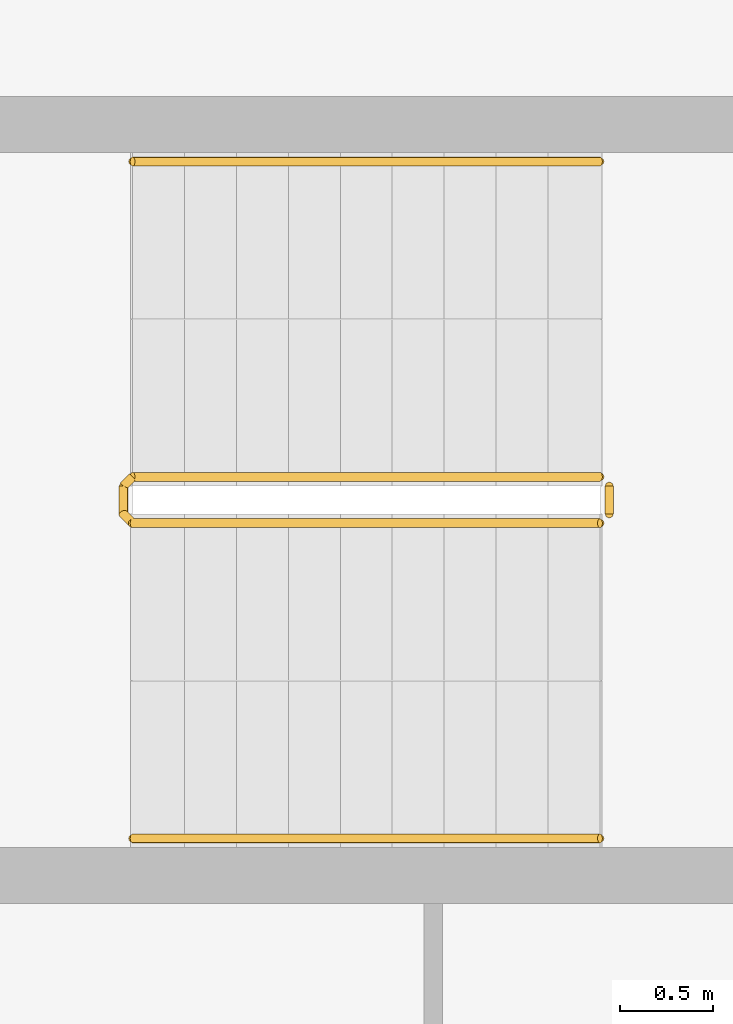
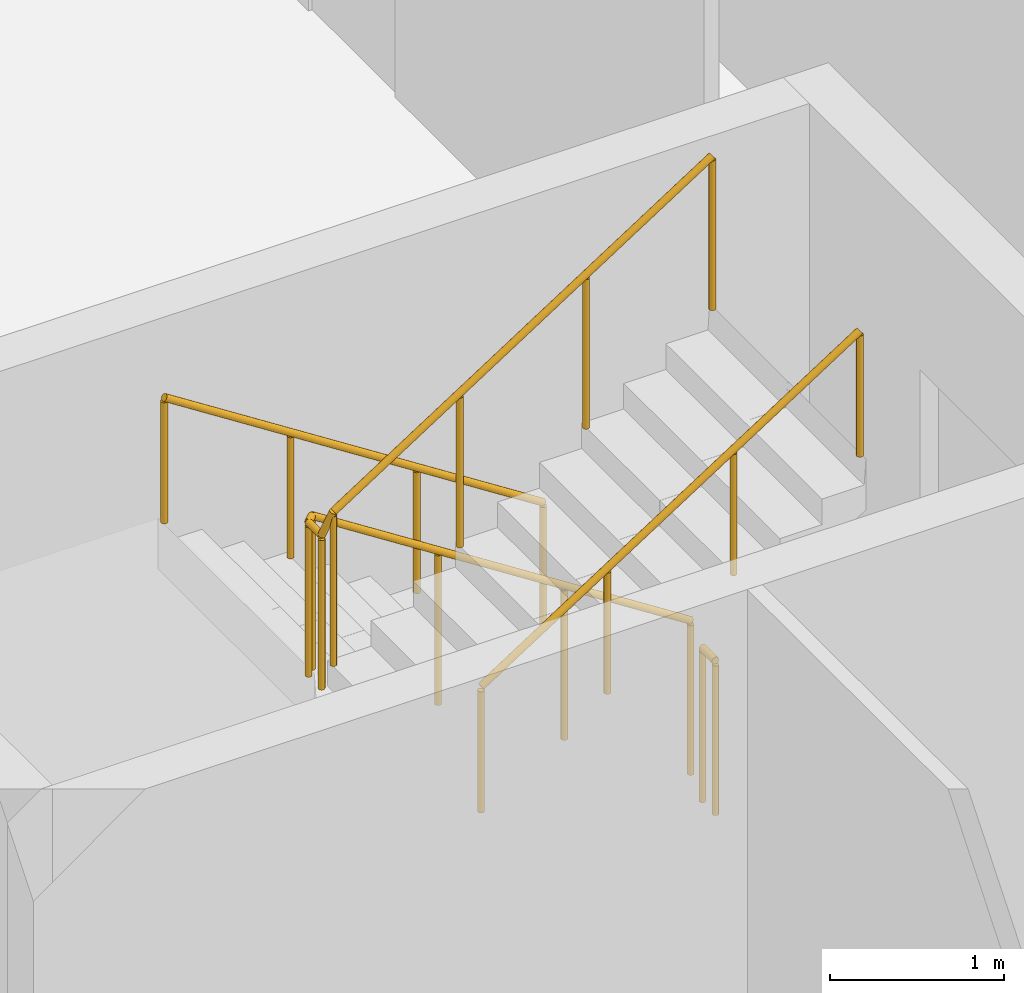
# One storey, part 24 of 27: 4 railings.
"""IFC4 building model written with IfcOpenShell, lengths in metres."""

from ifc_helpers import new_model, si_unit, direction, frame, origin, origin_2d, place, context, subcontext, project, spatial, circle, extrude, material, type_object, element, save


model = new_model("IFC4")

# Units and contexts
model_context = context("Model", 3, precision=1e-05, world=origin(), true_north=direction((0.0, 1.0)))
body_context = subcontext(model_context, "Body", "Model", "MODEL_VIEW")
ifc_project = project(units=[si_unit("LENGTHUNIT", "METRE"), si_unit("AREAUNIT", "SQUARE_METRE"), si_unit("VOLUMEUNIT", "CUBIC_METRE"), si_unit("PLANEANGLEUNIT", "RADIAN"), si_unit("MASSUNIT", "GRAM", prefix="KILO")], contexts=[model_context])

# Site, building, storey
site_placement = place(None, origin())
site = spatial("IfcSite", under=ifc_project, at=site_placement, CompositionType="ELEMENT")
building_placement = place(site_placement, origin())
building = spatial("IfcBuilding", under=site, at=building_placement, Name="Wharfspan Tower", CompositionType="ELEMENT")
storey_placement = place(building_placement, frame((0.0, 0.0, 45.100098)))
storey = spatial("IfcBuildingStorey", under=building, at=storey_placement, Name="L07", CompositionType="ELEMENT", Elevation=45.100098)

# Railings
ifc_material = material(Name="Steel S355J2", Category="steel")
railing_type_1 = type_object("IfcRailingType", Name="Stair guard 1100", PredefinedType="GUARDRAIL", material=ifc_material)
railing_1_placement = place(storey_placement, frame((6.899902, 22.625, 0.179932)))
element("IfcRailing", 1, at=railing_1_placement, inside=storey, type_object=railing_type_1, Name="L07 ST3 stair guard 1", PredefinedType="GUARDRAIL", context=body_context, shape_type="SweptSolid", body=[
    extrude(circle(Radius=0.023926, at=origin_2d()), frame((0.0, 0.0, 1.076172), z_axis=(-0.8412, 0.0, 0.540725), x_axis=(0.0, -1.0, 0.0)), (0.0, 0.0, 1.0), 2.99585),
    extrude(circle(Radius=0.023926, at=origin_2d()), frame((-2.52002, 0.0, 2.695801), z_axis=(-0.705376, -0.708834, 0.0), x_axis=(0.708834, -0.705376, 0.0)), (0.0, 0.0, 1.0), 0.070557),
    extrude(circle(Radius=0.023926, at=origin_2d()), frame((-2.569824, -0.050049, 2.695801), z_axis=(0.0, -1.0, 0.0), x_axis=(1.0, 0.0, 0.0)), (0.0, 0.0, 1.0), 0.149902),
    extrude(circle(Radius=0.023926, at=origin_2d()), frame((-2.569824, -0.199951, 2.695801), z_axis=(0.257366, -0.258628, 0.931061), x_axis=(0.708838, 0.705372, -2e-06)), (0.0, 0.0, 1.0), 0.193604),
    extrude(circle(Radius=0.023926, at=origin_2d()), frame((-2.52002, -0.25, 2.875977), z_axis=(0.8412, 0.0, 0.540725), x_axis=(0.0, 1.0, 0.0)), (0.0, 0.0, 1.0), 2.99585),
    extrude(circle(Radius=0.020996, at=origin_2d()), origin(), (0.0, 0.0, 1.0), 1.052002),
    extrude(circle(Radius=0.020996, at=origin_2d()), frame((-0.840088, 0.0, 0.540039)), (0.0, 0.0, 1.0), 1.052002),
    extrude(circle(Radius=0.020996, at=origin_2d()), frame((-1.679932, 0.0, 1.079834)), (0.0, 0.0, 1.0), 1.052002),
    extrude(circle(Radius=0.020996, at=origin_2d()), frame((-2.52002, 0.0, 1.619873)), (0.0, 0.0, 1.0), 1.052002),
    extrude(circle(Radius=0.020996, at=origin_2d()), frame((-2.569824, -0.050049, 1.619873)), (0.0, 0.0, 1.0), 1.052002),
    extrude(circle(Radius=0.020996, at=origin_2d()), frame((-2.569824, -0.199951, 1.619873)), (0.0, 0.0, 1.0), 1.052002),
    extrude(circle(Radius=0.020996, at=origin_2d()), frame((-2.52002, -0.25, 1.800049)), (0.0, 0.0, 1.0), 1.052002),
    extrude(circle(Radius=0.020996, at=origin_2d()), frame((-1.679932, -0.25, 2.340088)), (0.0, 0.0, 1.0), 1.052002),
    extrude(circle(Radius=0.020996, at=origin_2d()), frame((-0.840088, -0.25, 2.879883)), (0.0, 0.0, 1.0), 1.052002),
    extrude(circle(Radius=0.020996, at=origin_2d()), frame((0.0, -0.25, 3.419922)), (0.0, 0.0, 1.0), 1.052002),
])
railing_2_placement = place(storey_placement, frame((6.949951, 22.574951, 0.0)))
element("IfcRailing", 2, at=railing_2_placement, inside=storey, type_object=railing_type_1, Name="L07 ST3 stair guard 2", PredefinedType="GUARDRAIL", context=body_context, shape_type="SweptSolid", body=[
    extrude(circle(Radius=0.023926, at=origin_2d()), frame((0.0, 0.0, 1.076172), z_axis=(0.0, -1.0, 0.0), x_axis=(1.0, 0.0, 0.0)), (0.0, 0.0, 1.0), 0.149902),
    extrude(circle(Radius=0.020996, at=origin_2d()), origin(), (0.0, 0.0, 1.0), 1.052002),
    extrude(circle(Radius=0.020996, at=origin_2d()), frame((0.0, -0.149902, 0.0)), (0.0, 0.0, 1.0), 1.052002),
])
railing_type_2 = type_object("IfcRailingType", Name="Stair handrail 900", PredefinedType="HANDRAIL", material=ifc_material)
railing_3_placement = place(storey_placement, frame((6.899902, 24.324951, 0.179932)))
element("IfcRailing", 3, at=railing_3_placement, inside=storey, type_object=railing_type_2, Name="L07 ST3 stair handrail 1", PredefinedType="HANDRAIL", context=body_context, shape_type="SweptSolid", body=[
    extrude(circle(Radius=0.023926, at=origin_2d()), frame((0.0, 0.0, 0.875977), z_axis=(-0.8412, 0.0, 0.540725), x_axis=(0.0, -1.0, 0.0)), (0.0, 0.0, 1.0), 2.99585),
    extrude(circle(Radius=0.020996, at=origin_2d()), origin(), (0.0, 0.0, 1.0), 0.851807),
    extrude(circle(Radius=0.020996, at=origin_2d()), frame((-0.840088, 0.0, 0.540039)), (0.0, 0.0, 1.0), 0.851807),
    extrude(circle(Radius=0.020996, at=origin_2d()), frame((-1.679932, 0.0, 1.079834)), (0.0, 0.0, 1.0), 0.851807),
    extrude(circle(Radius=0.020996, at=origin_2d()), frame((-2.52002, 0.0, 1.619873)), (0.0, 0.0, 1.0), 0.851807),
])
railing_4_placement = place(storey_placement, frame((4.379883, 20.675049, 1.97998)))
element("IfcRailing", 4, at=railing_4_placement, inside=storey, type_object=railing_type_2, Name="L07 ST3 stair handrail 2", PredefinedType="HANDRAIL", context=body_context, shape_type="SweptSolid", body=[
    extrude(circle(Radius=0.023926, at=origin_2d()), frame((0.0, 0.0, 0.875977), z_axis=(0.8412, 0.0, 0.540725), x_axis=(0.0, 1.0, 0.0)), (0.0, 0.0, 1.0), 2.99585),
    extrude(circle(Radius=0.020996, at=origin_2d()), origin(), (0.0, 0.0, 1.0), 0.851807),
    extrude(circle(Radius=0.020996, at=origin_2d()), frame((0.840088, 0.0, 0.540039)), (0.0, 0.0, 1.0), 0.851807),
    extrude(circle(Radius=0.020996, at=origin_2d()), frame((1.679932, 0.0, 1.079834)), (0.0, 0.0, 1.0), 0.851807),
    extrude(circle(Radius=0.020996, at=origin_2d()), frame((2.52002, 0.0, 1.619873)), (0.0, 0.0, 1.0), 0.851807),
])

save(model, "model.ifc")
